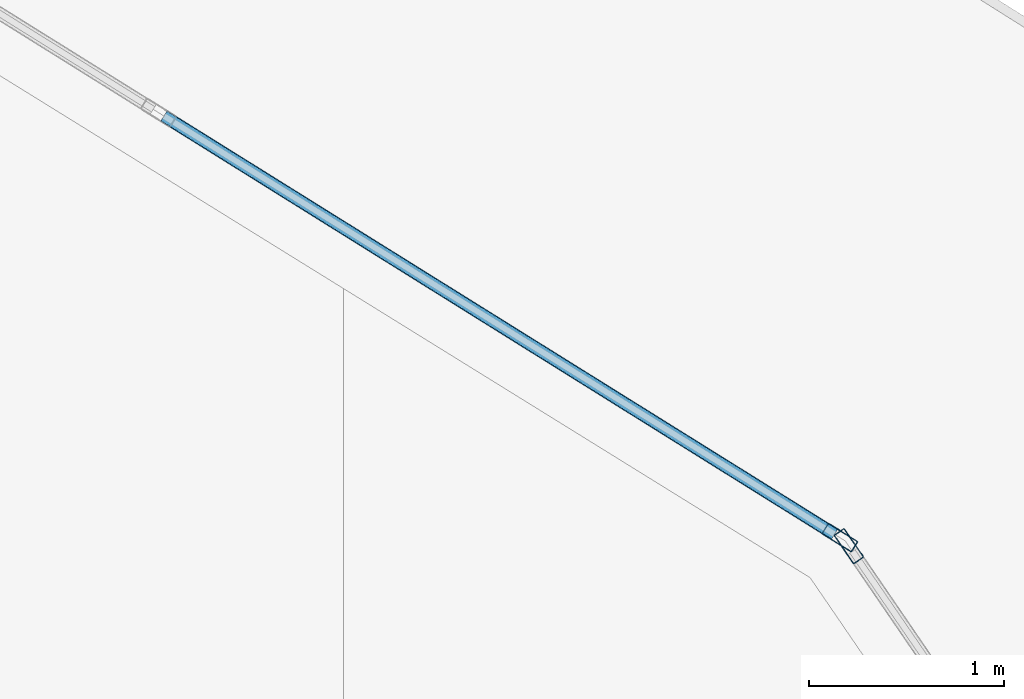
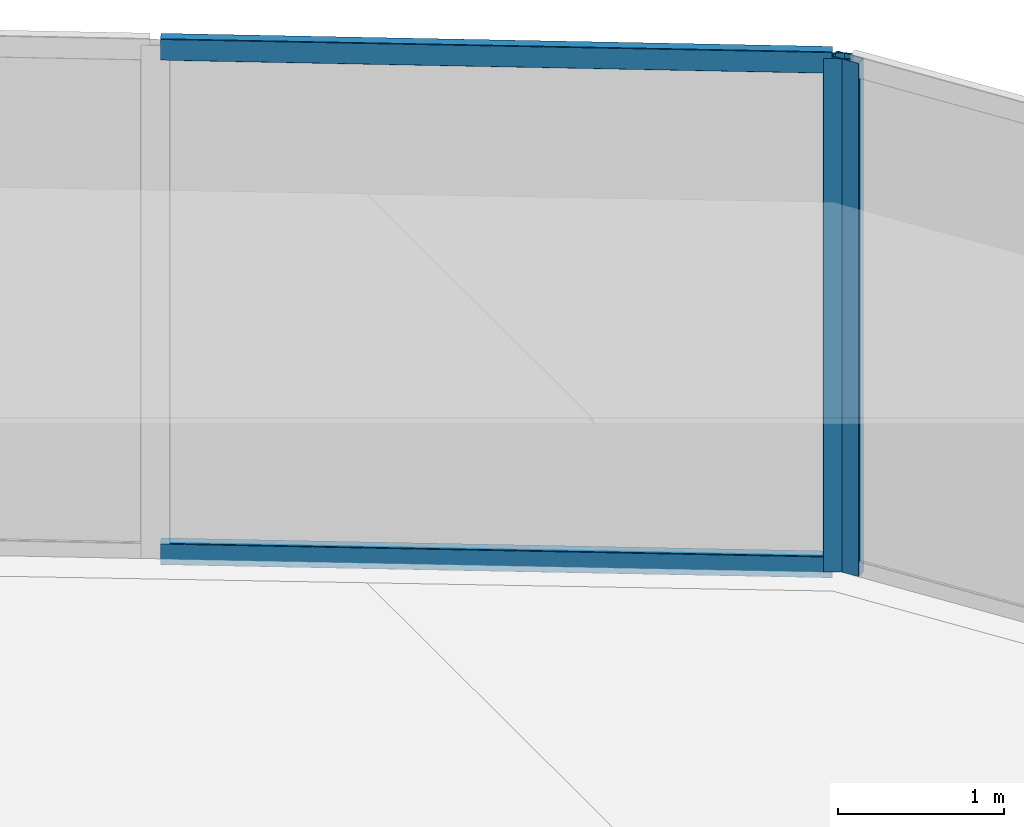
# One storey, part 23 of 36: 4 members, 2 elements without a shape of their own.
"""IFC4 building model written with IfcOpenShell, lengths in metres."""

from ifc_helpers import new_model, si_unit, direction, frame, origin, origin_2d, place, context, subcontext, project, spatial, hollow_rectangle, extrude, material, layer, layer_set, material_profile, profile_set, type_object, element, aggregate, save


model = new_model("IFC4")

# Units and contexts
model_context = context("Model", 3, precision=1e-05, world=origin(), true_north=direction((0.0, 1.0)))
body_context = subcontext(model_context, "Body", "Model", "MODEL_VIEW")
ifc_project = project(units=[si_unit("LENGTHUNIT", "METRE"), si_unit("AREAUNIT", "SQUARE_METRE"), si_unit("VOLUMEUNIT", "CUBIC_METRE"), si_unit("PLANEANGLEUNIT", "RADIAN"), si_unit("MASSUNIT", "GRAM", prefix="KILO")], contexts=[model_context])

# Site, building, storey
site_placement = place(None, origin())
site = spatial("IfcSite", under=ifc_project, at=site_placement, CompositionType="ELEMENT")
building_placement = place(site_placement, origin())
building = spatial("IfcBuilding", under=site, at=building_placement, Name="Qorvath Tower", CompositionType="ELEMENT")
storey_placement = place(building_placement, frame((0.0, 0.0, 192.89990234375)))
storey = spatial("IfcBuildingStorey", under=building, at=storey_placement, Name="L44", CompositionType="ELEMENT", Elevation=192.89990234375)

# Curtain wall, member
ifc_material_1 = material(Name="Anodised aluminium and triple low-E glass", Category="aluminium")
ifc_layer = layer(ifc_material_1, 0.179931640625)
ifc_layer_set = layer_set([ifc_layer], Name="CW-SYS-3")
curtain_wall_type = type_object("IfcCurtainWallType", Name="CW-SYS-3", PredefinedType="NOTDEFINED", material=ifc_layer_set)
curtain_wall_1_placement = place(storey_placement, origin())
curtain_wall_1 = element("IfcCurtainWall", 1, at=curtain_wall_1_placement, inside=storey, type_object=curtain_wall_type, Name="Curtain Wall CW-3 CW-T-L44-13.1", PredefinedType="NOTDEFINED")
ifc_material_2 = material(Name="Anodised aluminium 6063-T6", Category="aluminium")
ifc_material_profile_1 = material_profile(ifc_material_2, hollow_rectangle(XDim=0.06494140625, YDim=0.179931640625, WallThickness=0.00341796875, InnerFilletRadius=0.00341796875, OuterFilletRadius=0.007080078125, at=origin_2d()), Name="CWM 180x65")
ifc_profile_set_1 = profile_set([ifc_material_profile_1], Name="Anodised aluminium 6063-T6")
member_type_1 = type_object("IfcMemberType", Name="CWM-180", PredefinedType="MULLION", material=ifc_profile_set_1)
member_1_placement = place(storey_placement, frame((-5.712890625, 21.366943359375, 0.0), z_axis=(0.0, 0.0, 1.0), x_axis=(-0.825424850974, -0.56451201528, 0.0)))
member_1 = element("IfcMember", 2, at=member_1_placement, type_object=member_type_1, Name="CW-3 mullion 2", PredefinedType="MULLION", context=body_context, shape_type="SweptSolid", body=[
    extrude(hollow_rectangle(XDim=0.06494140625, YDim=0.179931640625, WallThickness=0.00341796875, InnerFilletRadius=0.00341796875, OuterFilletRadius=0.007080078125, at=origin_2d()), origin(), (0.0, 0.0, 1.0), 3.780029296875),
])
aggregate(curtain_wall_1, [member_1])

# Curtain wall, members
curtain_wall_2_placement = place(storey_placement, origin())
curtain_wall_2 = element("IfcCurtainWall", 3, at=curtain_wall_2_placement, inside=storey, type_object=curtain_wall_type, Name="Curtain Wall CW-3 CW-T-L44-14.1", PredefinedType="NOTDEFINED")
member_2_placement = place(storey_placement, frame((-5.7587890625, 21.410888671875, 0.0), z_axis=(0.0, 0.0, 1.0), x_axis=(-0.529206179006, -0.848493264618, 0.0)))
member_2 = element("IfcMember", 4, at=member_2_placement, type_object=member_type_1, Name="CW-3 mullion 1", PredefinedType="MULLION", context=body_context, shape_type="SweptSolid", body=[
    extrude(hollow_rectangle(XDim=0.06494140625, YDim=0.179931640625, WallThickness=0.00341796875, InnerFilletRadius=0.00341796875, OuterFilletRadius=0.007080078125, at=origin_2d()), origin(), (0.0, 0.0, 1.0), 3.780029296875),
])
ifc_material_3 = material(Name="Anodised aluminium 6063-T6", Category="aluminium")
ifc_material_profile_2 = material_profile(ifc_material_3, hollow_rectangle(XDim=0.06494140625, YDim=0.159912109375, WallThickness=0.00341796875, InnerFilletRadius=0.00341796875, OuterFilletRadius=0.007080078125, at=origin_2d()), Name="CWT 160x65")
ifc_profile_set_2 = profile_set([ifc_material_profile_2], Name="Anodised aluminium 6063-T6")
member_type_2 = type_object("IfcMemberType", Name="CWT-160", PredefinedType="USERDEFINED", material=ifc_profile_set_2)
member_3_placement = place(storey_placement, frame((-5.786376953125, 21.42822265625, 0.032470703125), z_axis=(-0.848485179469, 0.529219141964, 0.0), x_axis=(-0.529219141964, -0.848485179469, 0.0)))
member_3 = element("IfcMember", 5, at=member_3_placement, type_object=member_type_2, Name="CW-3 transom 1.1", ObjectType="TRANSOM", PredefinedType="USERDEFINED", context=body_context, shape_type="SweptSolid", body=[
    extrude(hollow_rectangle(XDim=0.06494140625, YDim=0.159912109375, WallThickness=0.00341796875, InnerFilletRadius=0.00341796875, OuterFilletRadius=0.007080078125, at=origin_2d()), origin(), (0.0, 0.0, 1.0), 4.0537109375),
])
member_4_placement = place(storey_placement, frame((-5.786376953125, 21.42822265625, 3.74755859375), z_axis=(-0.848485179469, 0.529219141964, 0.0), x_axis=(-0.529219141964, -0.848485179469, 0.0)))
member_4 = element("IfcMember", 6, at=member_4_placement, type_object=member_type_2, Name="CW-3 transom 1.2", ObjectType="TRANSOM", PredefinedType="USERDEFINED", context=body_context, shape_type="SweptSolid", body=[
    extrude(hollow_rectangle(XDim=0.06494140625, YDim=0.159912109375, WallThickness=0.00341796875, InnerFilletRadius=0.00341796875, OuterFilletRadius=0.007080078125, at=origin_2d()), origin(), (0.0, 0.0, 1.0), 4.0537109375),
])
aggregate(curtain_wall_2, [member_2, member_3, member_4])

save(model, "model.ifc")
